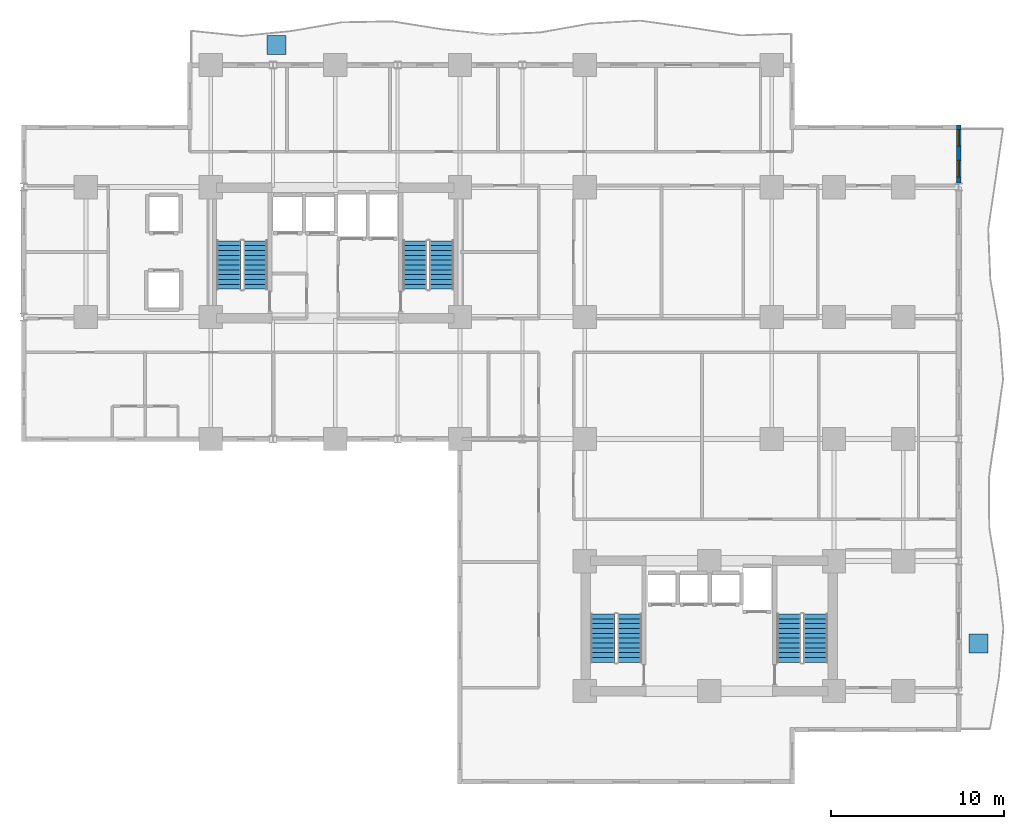
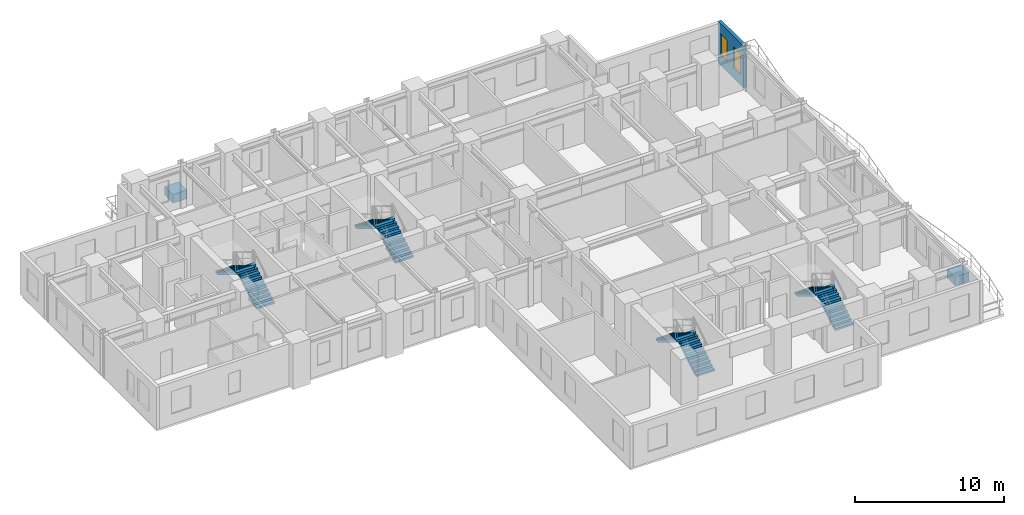
# One storey, part 8 of 11: 8 stair flights, 2 discrete accessories, 2 windows, 1 wall, 2 openings, 4 elements without a shape of their own.
"""IFC4 building model written with IfcOpenShell, lengths in metres."""

from ifc_helpers import new_model, si_unit, direction, frame, frame_2d, origin, origin_2d, place, context, subcontext, project, spatial, polyline, rectangle, outline, extrude, source, transform, mapped, material, layer, layer_set, type_object, element, fill, aggregate, save


model = new_model("IFC4")

# Units and contexts
model_context = context("Model", 3, precision=1e-05, world=origin(), true_north=direction((0.0, 1.0)))
body_context = subcontext(model_context, "Body", "Model", "MODEL_VIEW")
ifc_project = project(units=[si_unit("LENGTHUNIT", "METRE"), si_unit("AREAUNIT", "SQUARE_METRE"), si_unit("VOLUMEUNIT", "CUBIC_METRE"), si_unit("PLANEANGLEUNIT", "RADIAN"), si_unit("MASSUNIT", "GRAM", prefix="KILO")], contexts=[model_context])

# Site, building, storey
site_placement = place(None, origin())
site = spatial("IfcSite", under=ifc_project, at=site_placement, CompositionType="ELEMENT")
building_placement = place(site_placement, origin())
building = spatial("IfcBuilding", under=site, at=building_placement, Name="Kaliganga Portal Commons", CompositionType="ELEMENT")
storey_placement = place(building_placement, frame((0.0, 0.0, 54.89990234375)))
storey = spatial("IfcBuildingStorey", under=building, at=storey_placement, Name="L13", CompositionType="ELEMENT", Elevation=54.89990234375)

# Wall, openings, windows
ifc_material_1 = material(Name="Insulated Aluminium-Clad Spandrel Assembly", Category="aluminium")
ifc_layer = layer(ifc_material_1, 0.260009765625)
ifc_layer_set = layer_set([ifc_layer], Name="Insulated Aluminium-Clad Spandrel Assembly")
wall_type = type_object("IfcWallType", Name="WL-EXT-SPAND-260", PredefinedType="STANDARD", material=ifc_layer_set)
wall_placement = place(storey_placement, frame((57.60009765625, 39.72998046875, 0.0), z_axis=(0.0, 0.0, 1.0), x_axis=(0.0, -1.0, 0.0)))
wall = element("IfcWall", 1, at=wall_placement, inside=storey, type_object=wall_type, Name="Exterior Envelope Wall L13 P1-E03-S6", PredefinedType="STANDARD", context=body_context, shape_type="SweptSolid", body=[
    extrude(rectangle(XDim=3.35595703125, YDim=0.260009765625, at=frame_2d((1.677978515625, 0.0))), origin(), (0.0, 0.0, 1.0), 3.43017578125),
])
opening_1_placement = place(wall_placement, frame((2.035400390625, 0.0, 0.85009765625)))
opening_1 = element("IfcOpeningElement", 2, at=opening_1_placement, cuts=wall, Name="Opening W-04", PredefinedType="OPENING", context=body_context, shape_type="SweptSolid", body=[
    extrude(rectangle(XDim=0.949951171875, YDim=1.75, at=frame_2d((0.47509765625, 0.875))), frame((0.0, 0.14013671875, 0.0), z_axis=(0.0, -1.0, 0.0), x_axis=(1.0, 0.0, 0.0)), (0.0, 0.0, 1.0), 0.280029296875),
])
opening_2_placement = place(wall_placement, frame((0.26318359375, 0.0, 0.85009765625)))
opening_2 = element("IfcOpeningElement", 3, at=opening_2_placement, cuts=wall, Name="Opening W-04", PredefinedType="OPENING", context=body_context, shape_type="SweptSolid", body=[
    extrude(rectangle(XDim=0.949951171875, YDim=1.75, at=frame_2d((0.47509765625, 0.875))), frame((0.0, 0.14013671875, 0.0), z_axis=(0.0, -1.0, 0.0), x_axis=(1.0, 0.0, 0.0)), (0.0, 0.0, 1.0), 0.280029296875),
])
ifc_material_2 = material(Name="Thermally Broken Aluminium and Low-E Double Glazing", Category="aluminium")
window_type = type_object("IfcWindowType", Name="WIN-NARROW-950", PartitioningType="SINGLE_PANEL", PredefinedType="WINDOW", material=ifc_material_2)
window_1_placement = place(opening_1_placement, origin())
window_1 = element("IfcWindow", 4, at=window_1_placement, inside=storey, type_object=window_type, Name="Facade Window L13-P1E03S6-N2", OverallHeight=1.75, OverallWidth=0.949951171875, PartitioningType="SINGLE_PANEL", PredefinedType="WINDOW", context=body_context, shape_type="SweptSolid", body=[
    extrude(rectangle(XDim=0.949951171875, YDim=1.75, at=frame_2d((0.47509765625, 0.875))), frame((0.0, 0.030029296875, 0.0), z_axis=(0.0, -1.0, 0.0), x_axis=(1.0, 0.0, 0.0)), (0.0, 0.0, 1.0), 0.06005859375),
])
fill(opening_1, window_1)
window_2_placement = place(opening_2_placement, origin())
window_2 = element("IfcWindow", 5, at=window_2_placement, inside=storey, type_object=window_type, Name="Facade Window L13-P1E03S6-N9", OverallHeight=1.75, OverallWidth=0.949951171875, PartitioningType="SINGLE_PANEL", PredefinedType="WINDOW", context=body_context, shape_type="SweptSolid", body=[
    extrude(rectangle(XDim=0.949951171875, YDim=1.75, at=frame_2d((0.47509765625, 0.875))), frame((0.0, 0.030029296875, 0.0), z_axis=(0.0, -1.0, 0.0), x_axis=(1.0, 0.0, 0.0)), (0.0, 0.0, 1.0), 0.06005859375),
])
fill(opening_2, window_2)

# Stair, stair flights
ifc_material_3 = material(Name="Concrete C40/50", Category="concrete")
stair_type = type_object("IfcStairType", Name="ST-CORE-DOGLEG", PredefinedType="HALF_TURN_STAIR", material=ifc_material_3)
stair_1_placement = place(storey_placement, origin())
stair_1 = element("IfcStair", 6, at=stair_1_placement, inside=storey, type_object=stair_type, Name="L13 Protected Exit Stair ST-A1", PredefinedType="HALF_TURN_STAIR")
stair_flight_type = type_object("IfcStairFlightType", Name="STF-RC-1400", PredefinedType="STRAIGHT", material=ifc_material_3)
stair_flight_1_placement = place(storey_placement, frame((17.0, 30.25, 0.0), z_axis=(0.0, 0.0, 1.0), x_axis=(0.0, 1.0, 0.0)))
stair_flight_1 = element("IfcStairFlight", 7, at=stair_flight_1_placement, type_object=stair_flight_type, Name="ST-A1 flight 1", NumberOfRisers=11, NumberOfTreads=10, PredefinedType="STRAIGHT", RiserHeight=0.168181818, TreadLength=0.28, context=body_context, shape_type="SweptSolid", body=[
    extrude(outline(polyline([(0.0, 0.0), (0.0, 0.168212890625), (0.280029296875, 0.168212890625), (0.280029296875, 0.33642578125), (0.56005859375, 0.33642578125), (0.56005859375, 0.504638671875), (0.840087890625, 0.504638671875), (0.840087890625, 0.672607421875), (1.1201171875, 0.672607421875), (1.1201171875, 0.8408203125), (1.39990234375, 0.8408203125), (1.39990234375, 1.009033203125), (1.679931640625, 1.009033203125), (1.679931640625, 1.17724609375), (1.9599609375, 1.17724609375), (1.9599609375, 1.345458984375), (2.239990234375, 1.345458984375), (2.239990234375, 1.513671875), (2.52001953125, 1.513671875), (2.52001953125, 1.681884765625), (2.800048828125, 1.681884765625), (2.800048828125, 1.85009765625), (2.800048828125, 1.5068359375), (0.291015625, 0.0), (0.0, 0.0)])), frame((0.0, 0.699951171875, 0.0), z_axis=(0.0, -1.0, 0.0), x_axis=(1.0, 0.0, 0.0)), (0.0, 0.0, 1.0), 1.39990234375),
])
stair_flight_2_placement = place(storey_placement, frame((15.449951171875, 33.050048828125, 1.85009765625), z_axis=(0.0, 0.0, 1.0), x_axis=(0.0, -1.0, 0.0)))
stair_flight_2 = element("IfcStairFlight", 8, at=stair_flight_2_placement, type_object=stair_flight_type, Name="ST-A1 flight 2", NumberOfRisers=11, NumberOfTreads=10, PredefinedType="STRAIGHT", RiserHeight=0.168181818, TreadLength=0.28, context=body_context, shape_type="SweptSolid", body=[
    extrude(outline(polyline([(0.0, 0.0), (0.0, 0.168212890625), (0.280029296875, 0.168212890625), (0.280029296875, 0.33642578125), (0.56005859375, 0.33642578125), (0.56005859375, 0.504638671875), (0.840087890625, 0.504638671875), (0.840087890625, 0.672607421875), (1.1201171875, 0.672607421875), (1.1201171875, 0.8408203125), (1.39990234375, 0.8408203125), (1.39990234375, 1.009033203125), (1.679931640625, 1.009033203125), (1.679931640625, 1.17724609375), (1.9599609375, 1.17724609375), (1.9599609375, 1.345458984375), (2.239990234375, 1.345458984375), (2.239990234375, 1.513671875), (2.52001953125, 1.513671875), (2.52001953125, 1.681884765625), (2.800048828125, 1.681884765625), (2.800048828125, 1.85009765625), (2.800048828125, 1.5068359375), (0.291015625, 0.0), (0.0, 0.0)])), frame((0.0, 0.699951171875, 0.0), z_axis=(0.0, -1.0, 0.0), x_axis=(1.0, 0.0, 0.0)), (0.0, 0.0, 1.0), 1.39990234375),
])
aggregate(stair_1, [stair_flight_1, stair_flight_2])

stair_2_placement = place(storey_placement, origin())
stair_2 = element("IfcStair", 9, at=stair_2_placement, inside=storey, type_object=stair_type, Name="L13 Protected Exit Stair ST-A2", PredefinedType="HALF_TURN_STAIR")
stair_flight_3_placement = place(storey_placement, frame((27.75, 30.25, 0.0), z_axis=(0.0, 0.0, 1.0), x_axis=(0.0, 1.0, 0.0)))
stair_flight_3 = element("IfcStairFlight", 10, at=stair_flight_3_placement, type_object=stair_flight_type, Name="ST-A2 flight 1", NumberOfRisers=11, NumberOfTreads=10, PredefinedType="STRAIGHT", RiserHeight=0.168181818, TreadLength=0.28, context=body_context, shape_type="SweptSolid", body=[
    extrude(outline(polyline([(0.0, 0.0), (0.0, 0.168212890625), (0.280029296875, 0.168212890625), (0.280029296875, 0.33642578125), (0.56005859375, 0.33642578125), (0.56005859375, 0.504638671875), (0.840087890625, 0.504638671875), (0.840087890625, 0.672607421875), (1.1201171875, 0.672607421875), (1.1201171875, 0.8408203125), (1.39990234375, 0.8408203125), (1.39990234375, 1.009033203125), (1.679931640625, 1.009033203125), (1.679931640625, 1.17724609375), (1.9599609375, 1.17724609375), (1.9599609375, 1.345458984375), (2.239990234375, 1.345458984375), (2.239990234375, 1.513671875), (2.52001953125, 1.513671875), (2.52001953125, 1.681884765625), (2.800048828125, 1.681884765625), (2.800048828125, 1.85009765625), (2.800048828125, 1.5068359375), (0.291015625, 0.0), (0.0, 0.0)])), frame((0.0, 0.699951171875, 0.0), z_axis=(0.0, -1.0, 0.0), x_axis=(1.0, 0.0, 0.0)), (0.0, 0.0, 1.0), 1.39990234375),
])
stair_flight_4_placement = place(storey_placement, frame((26.199951171875, 33.050048828125, 1.85009765625), z_axis=(0.0, 0.0, 1.0), x_axis=(0.0, -1.0, 0.0)))
stair_flight_4 = element("IfcStairFlight", 11, at=stair_flight_4_placement, type_object=stair_flight_type, Name="ST-A2 flight 2", NumberOfRisers=11, NumberOfTreads=10, PredefinedType="STRAIGHT", RiserHeight=0.168181818, TreadLength=0.28, context=body_context, shape_type="SweptSolid", body=[
    extrude(outline(polyline([(0.0, 0.0), (0.0, 0.168212890625), (0.280029296875, 0.168212890625), (0.280029296875, 0.33642578125), (0.56005859375, 0.33642578125), (0.56005859375, 0.504638671875), (0.840087890625, 0.504638671875), (0.840087890625, 0.672607421875), (1.1201171875, 0.672607421875), (1.1201171875, 0.8408203125), (1.39990234375, 0.8408203125), (1.39990234375, 1.009033203125), (1.679931640625, 1.009033203125), (1.679931640625, 1.17724609375), (1.9599609375, 1.17724609375), (1.9599609375, 1.345458984375), (2.239990234375, 1.345458984375), (2.239990234375, 1.513671875), (2.52001953125, 1.513671875), (2.52001953125, 1.681884765625), (2.800048828125, 1.681884765625), (2.800048828125, 1.85009765625), (2.800048828125, 1.5068359375), (0.291015625, 0.0), (0.0, 0.0)])), frame((0.0, 0.699951171875, 0.0), z_axis=(0.0, -1.0, 0.0), x_axis=(1.0, 0.0, 0.0)), (0.0, 0.0, 1.0), 1.39990234375),
])
aggregate(stair_2, [stair_flight_3, stair_flight_4])

stair_3_placement = place(storey_placement, origin())
stair_3 = element("IfcStair", 12, at=stair_3_placement, inside=storey, type_object=stair_type, Name="L13 Protected Exit Stair ST-B1", PredefinedType="HALF_TURN_STAIR")
stair_flight_5_placement = place(storey_placement, frame((38.60009765625, 8.699951171875, 0.0), z_axis=(0.0, 0.0, 1.0), x_axis=(0.0, 1.0, 0.0)))
stair_flight_5 = element("IfcStairFlight", 13, at=stair_flight_5_placement, type_object=stair_flight_type, Name="ST-B1 flight 1", NumberOfRisers=11, NumberOfTreads=10, PredefinedType="STRAIGHT", RiserHeight=0.168181818, TreadLength=0.28, context=body_context, shape_type="SweptSolid", body=[
    extrude(outline(polyline([(0.0, 0.0), (0.0, 0.168212890625), (0.280029296875, 0.168212890625), (0.280029296875, 0.33642578125), (0.56005859375, 0.33642578125), (0.56005859375, 0.504638671875), (0.840087890625, 0.504638671875), (0.840087890625, 0.672607421875), (1.1201171875, 0.672607421875), (1.1201171875, 0.8408203125), (1.39990234375, 0.8408203125), (1.39990234375, 1.009033203125), (1.679931640625, 1.009033203125), (1.679931640625, 1.17724609375), (1.9599609375, 1.17724609375), (1.9599609375, 1.345458984375), (2.239990234375, 1.345458984375), (2.239990234375, 1.513671875), (2.52001953125, 1.513671875), (2.52001953125, 1.681884765625), (2.800048828125, 1.681884765625), (2.800048828125, 1.85009765625), (2.800048828125, 1.5068359375), (0.291015625, 0.0), (0.0, 0.0)])), frame((0.0, 0.699951171875, 0.0), z_axis=(0.0, -1.0, 0.0), x_axis=(1.0, 0.0, 0.0)), (0.0, 0.0, 1.0), 1.39990234375),
])
stair_flight_6_placement = place(storey_placement, frame((37.050048828125, 11.5, 1.85009765625), z_axis=(0.0, 0.0, 1.0), x_axis=(0.0, -1.0, 0.0)))
stair_flight_6 = element("IfcStairFlight", 14, at=stair_flight_6_placement, type_object=stair_flight_type, Name="ST-B1 flight 2", NumberOfRisers=11, NumberOfTreads=10, PredefinedType="STRAIGHT", RiserHeight=0.168181818, TreadLength=0.28, context=body_context, shape_type="SweptSolid", body=[
    extrude(outline(polyline([(0.0, 0.0), (0.0, 0.168212890625), (0.280029296875, 0.168212890625), (0.280029296875, 0.33642578125), (0.56005859375, 0.33642578125), (0.56005859375, 0.504638671875), (0.840087890625, 0.504638671875), (0.840087890625, 0.672607421875), (1.1201171875, 0.672607421875), (1.1201171875, 0.8408203125), (1.39990234375, 0.8408203125), (1.39990234375, 1.009033203125), (1.679931640625, 1.009033203125), (1.679931640625, 1.17724609375), (1.9599609375, 1.17724609375), (1.9599609375, 1.345458984375), (2.239990234375, 1.345458984375), (2.239990234375, 1.513671875), (2.52001953125, 1.513671875), (2.52001953125, 1.681884765625), (2.800048828125, 1.681884765625), (2.800048828125, 1.85009765625), (2.800048828125, 1.5068359375), (0.291015625, 0.0), (0.0, 0.0)])), frame((0.0, 0.699951171875, 0.0), z_axis=(0.0, -1.0, 0.0), x_axis=(1.0, 0.0, 0.0)), (0.0, 0.0, 1.0), 1.39990234375),
])
aggregate(stair_3, [stair_flight_5, stair_flight_6])

stair_4_placement = place(storey_placement, origin())
stair_4 = element("IfcStair", 15, at=stair_4_placement, inside=storey, type_object=stair_type, Name="L13 Protected Exit Stair ST-B2", PredefinedType="HALF_TURN_STAIR")
stair_flight_7_placement = place(storey_placement, frame((49.35009765625, 8.699951171875, 0.0), z_axis=(0.0, 0.0, 1.0), x_axis=(0.0, 1.0, 0.0)))
stair_flight_7 = element("IfcStairFlight", 16, at=stair_flight_7_placement, type_object=stair_flight_type, Name="ST-B2 flight 1", NumberOfRisers=11, NumberOfTreads=10, PredefinedType="STRAIGHT", RiserHeight=0.168181818, TreadLength=0.28, context=body_context, shape_type="SweptSolid", body=[
    extrude(outline(polyline([(0.0, 0.0), (0.0, 0.168212890625), (0.280029296875, 0.168212890625), (0.280029296875, 0.33642578125), (0.56005859375, 0.33642578125), (0.56005859375, 0.504638671875), (0.840087890625, 0.504638671875), (0.840087890625, 0.672607421875), (1.1201171875, 0.672607421875), (1.1201171875, 0.8408203125), (1.39990234375, 0.8408203125), (1.39990234375, 1.009033203125), (1.679931640625, 1.009033203125), (1.679931640625, 1.17724609375), (1.9599609375, 1.17724609375), (1.9599609375, 1.345458984375), (2.239990234375, 1.345458984375), (2.239990234375, 1.513671875), (2.52001953125, 1.513671875), (2.52001953125, 1.681884765625), (2.800048828125, 1.681884765625), (2.800048828125, 1.85009765625), (2.800048828125, 1.5068359375), (0.291015625, 0.0), (0.0, 0.0)])), frame((0.0, 0.699951171875, 0.0), z_axis=(0.0, -1.0, 0.0), x_axis=(1.0, 0.0, 0.0)), (0.0, 0.0, 1.0), 1.39990234375),
])
stair_flight_8_placement = place(storey_placement, frame((47.800048828125, 11.5, 1.85009765625), z_axis=(0.0, 0.0, 1.0), x_axis=(0.0, -1.0, 0.0)))
stair_flight_8 = element("IfcStairFlight", 17, at=stair_flight_8_placement, type_object=stair_flight_type, Name="ST-B2 flight 2", NumberOfRisers=11, NumberOfTreads=10, PredefinedType="STRAIGHT", RiserHeight=0.168181818, TreadLength=0.28, context=body_context, shape_type="SweptSolid", body=[
    extrude(outline(polyline([(0.0, 0.0), (0.0, 0.168212890625), (0.280029296875, 0.168212890625), (0.280029296875, 0.33642578125), (0.56005859375, 0.33642578125), (0.56005859375, 0.504638671875), (0.840087890625, 0.504638671875), (0.840087890625, 0.672607421875), (1.1201171875, 0.672607421875), (1.1201171875, 0.8408203125), (1.39990234375, 0.8408203125), (1.39990234375, 1.009033203125), (1.679931640625, 1.009033203125), (1.679931640625, 1.17724609375), (1.9599609375, 1.17724609375), (1.9599609375, 1.345458984375), (2.239990234375, 1.345458984375), (2.239990234375, 1.513671875), (2.52001953125, 1.513671875), (2.52001953125, 1.681884765625), (2.800048828125, 1.681884765625), (2.800048828125, 1.85009765625), (2.800048828125, 1.5068359375), (0.291015625, 0.0), (0.0, 0.0)])), frame((0.0, 0.699951171875, 0.0), z_axis=(0.0, -1.0, 0.0), x_axis=(1.0, 0.0, 0.0)), (0.0, 0.0, 1.0), 1.39990234375),
])
aggregate(stair_4, [stair_flight_7, stair_flight_8])

# Discrete accessories
ifc_material_4 = material(Name="Precast concrete C40/50", Category="concrete")
discrete_accessory_type = type_object("IfcDiscreteAccessoryType", Name="DAC-PLANTER-RC", PredefinedType="USERDEFINED", material=ifc_material_4)
shared_shape = source(origin(), body_context, "Body", "SweptSolid", [
    extrude(rectangle(XDim=1.10009765625, YDim=1.10009765625, at=origin_2d()), origin(), (0.0, 0.0, 1.0), 0.719970703125),
])
for number, where, z_axis, x_axis, name in (
    (18, (18.199951171875, 44.35009765625, 0.0), (0.0, 0.0, 1.0), (1.0, 0.0, 0.0), "Structural Tree Planter L13 balc_north"),
    (19, (58.75, 9.800048828125, 0.0), (0.0, 0.0, 1.0), (1.0, 0.0, 0.0), "Structural Tree Planter L13 balc_east"),
):
    element("IfcDiscreteAccessory", number, at=place(storey_placement, frame(where, z_axis=z_axis, x_axis=x_axis)), inside=storey, type_object=discrete_accessory_type, Name=name, ObjectType="PLANTER", PredefinedType="USERDEFINED", context=body_context, shape_type="MappedRepresentation", body=[
        mapped(shared_shape, transform((0.0, 0.0, 0.0), x_axis=(1.0, 0.0, 0.0), y_axis=(0.0, 1.0, 0.0), z_axis=(0.0, 0.0, 1.0), scale=1.0)),
    ])

save(model, "model.ifc")
